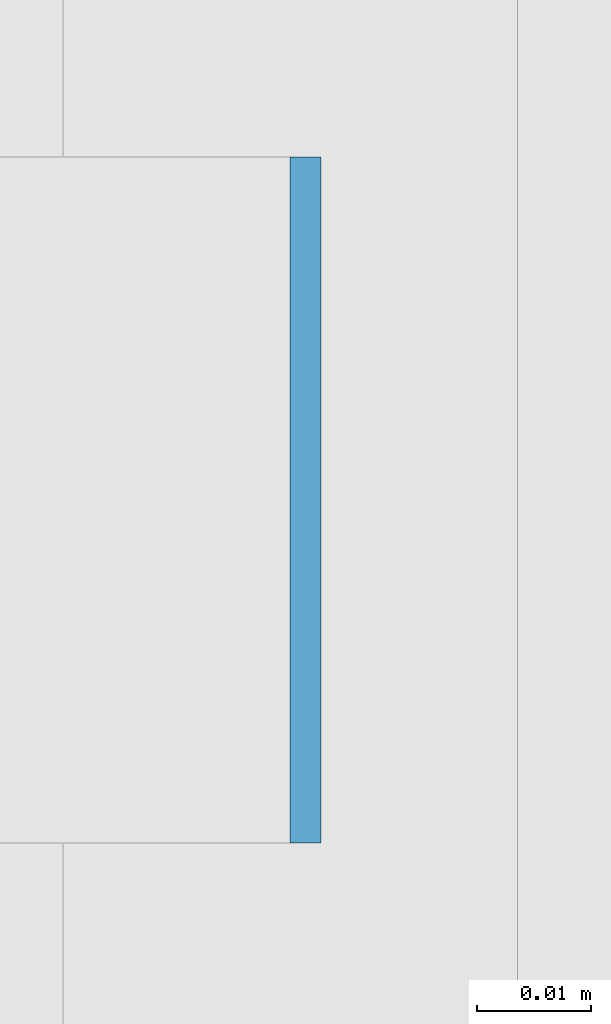
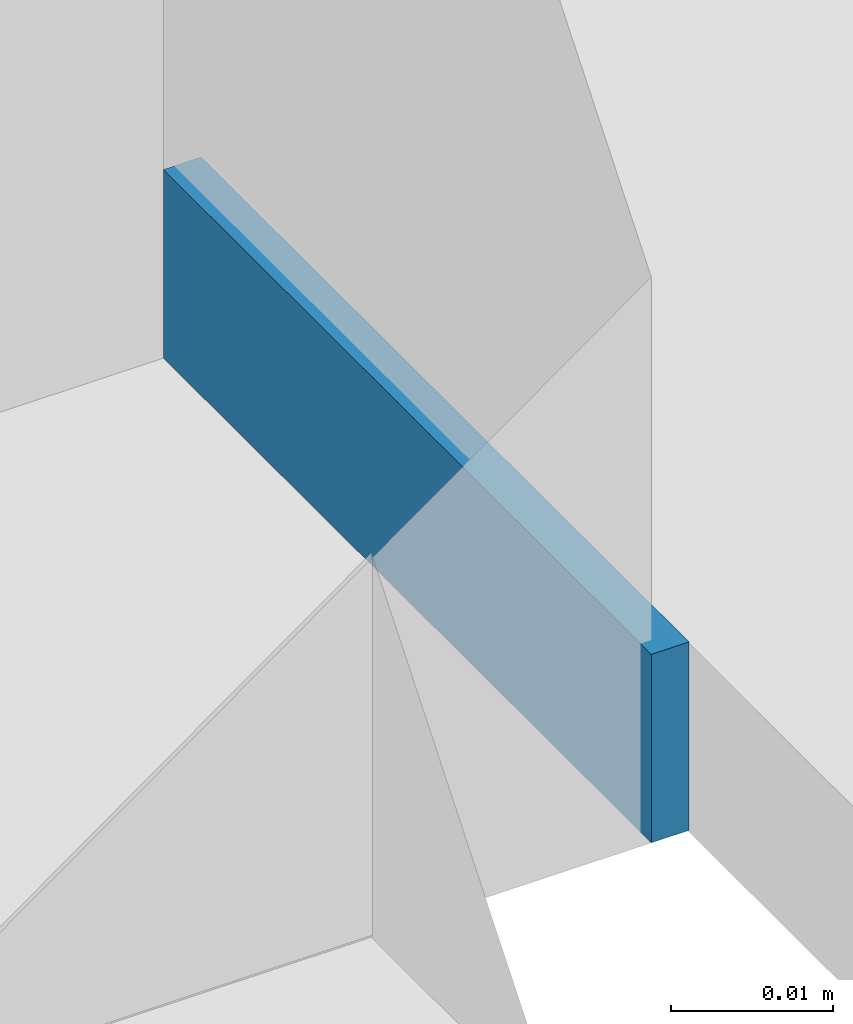
# One storey, part 400 of 646: 1 discrete accessory.
"""IFC4 building model written with IfcOpenShell, lengths in metres."""

from ifc_helpers import new_model, si_unit, direction, frame, origin, origin_2d, place, context, subcontext, project, spatial, rectangle, extrude, material, type_object, element, save


model = new_model("IFC4")

# Units and contexts
model_context = context("Model", 3, precision=1e-05, world=origin(), true_north=direction((0.0, 1.0)))
body_context = subcontext(model_context, "Body", "Model", "MODEL_VIEW")
ifc_project = project(units=[si_unit("LENGTHUNIT", "METRE"), si_unit("AREAUNIT", "SQUARE_METRE"), si_unit("VOLUMEUNIT", "CUBIC_METRE"), si_unit("PLANEANGLEUNIT", "RADIAN"), si_unit("MASSUNIT", "GRAM", prefix="KILO")], contexts=[model_context])

# Site, building, storey
site_placement = place(None, origin())
site = spatial("IfcSite", under=ifc_project, at=site_placement, CompositionType="ELEMENT")
building_placement = place(site_placement, origin())
building = spatial("IfcBuilding", under=site, at=building_placement, Name="Silverbay Arena", CompositionType="ELEMENT")
storey_placement = place(building_placement, frame((0.0, 0.0, 33.5)))
storey = spatial("IfcBuildingStorey", under=building, at=storey_placement, Name="L05", CompositionType="ELEMENT", Elevation=33.5)

# Discrete accessory
ifc_material = material(Name="Steel S355", Category="steel")
discrete_accessory_type = type_object("IfcDiscreteAccessoryType", Name="Steel bracket plate", PredefinedType="BRACKET", material=ifc_material)
discrete_accessory_placement = place(storey_placement, frame((53.871337890625, 118.28564453125, 4.0), z_axis=(0.0, 0.0, 1.0), x_axis=(1.0, 0.0, 0.0)))
element("IfcDiscreteAccessory", 1, at=discrete_accessory_placement, inside=storey, type_object=discrete_accessory_type, Name="Curtain wall packing plate", PredefinedType="BRACKET", context=body_context, shape_type="SweptSolid", body=[
    extrude(rectangle(XDim=0.002685546875, YDim=0.06005859375, at=origin_2d()), origin(), (0.0, 0.0, 1.0), 0.01416015625),
])

save(model, "model.ifc")
